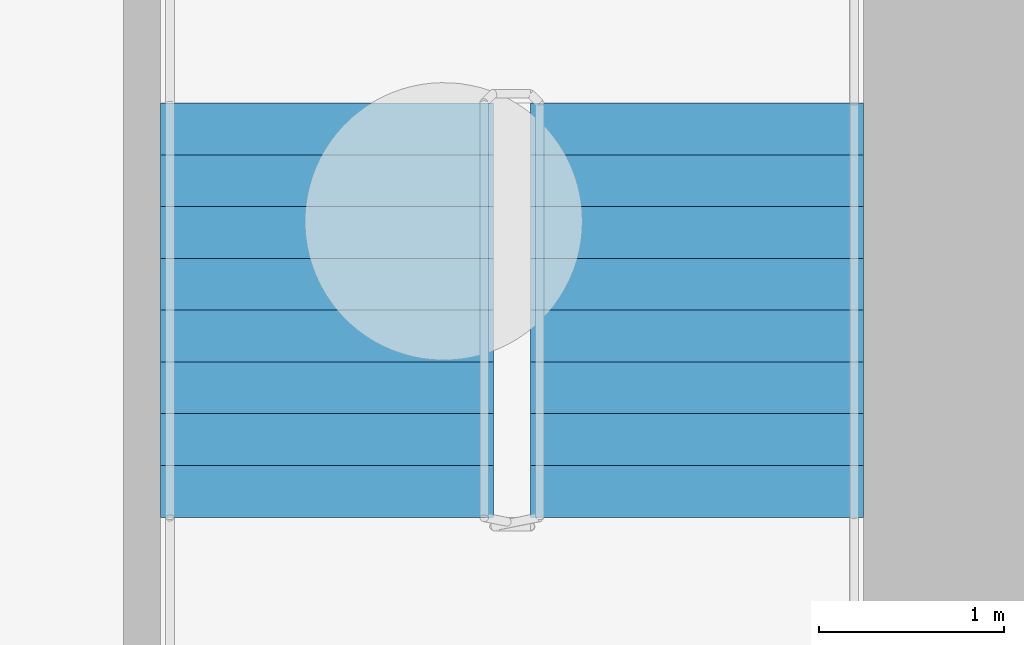
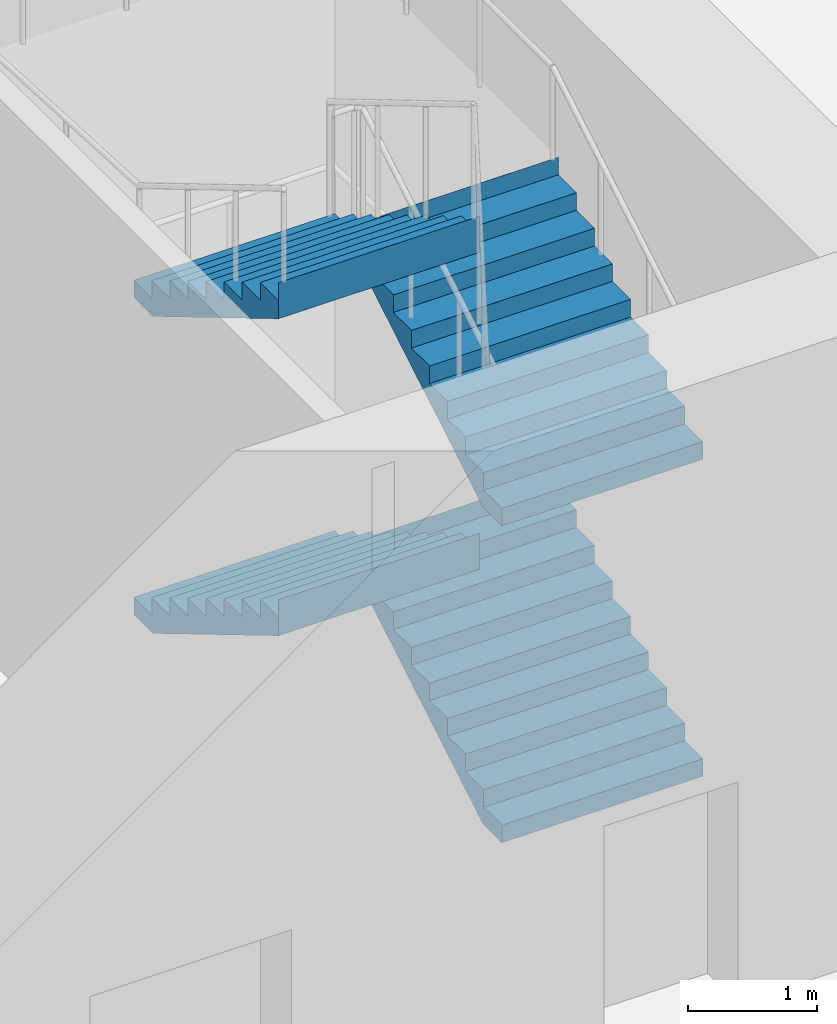
# One storey, part 21 of 39: 4 stair flights, 1 element without a shape of its own.
"""IFC4 building model written with IfcOpenShell, lengths in metres."""

from ifc_helpers import new_model, si_unit, direction, frame, origin, place, context, subcontext, project, spatial, polyline, outline, extrude, material, type_object, element, aggregate, save


model = new_model("IFC4")

# Units and contexts
model_context = context("Model", 3, precision=1e-05, world=origin(), true_north=direction((0.0, 1.0)))
body_context = subcontext(model_context, "Body", "Model", "MODEL_VIEW")
ifc_project = project(units=[si_unit("LENGTHUNIT", "METRE"), si_unit("AREAUNIT", "SQUARE_METRE"), si_unit("VOLUMEUNIT", "CUBIC_METRE"), si_unit("PLANEANGLEUNIT", "RADIAN"), si_unit("MASSUNIT", "GRAM", prefix="KILO")], contexts=[model_context])

# Site, building, storey
site_placement = place(None, origin())
site = spatial("IfcSite", under=ifc_project, at=site_placement, CompositionType="ELEMENT")
building_placement = place(site_placement, origin())
building = spatial("IfcBuilding", under=site, at=building_placement, Name="Tamorin Gate", CompositionType="ELEMENT")
storey_placement = place(building_placement, frame((0.0, 0.0, -12.0)))
storey = spatial("IfcBuildingStorey", under=building, at=storey_placement, Name="B2", CompositionType="ELEMENT", Elevation=-12.0)

# Stair, stair flights
ifc_material = material(Name="Concrete C40/50", Category="concrete")
stair_type = type_object("IfcStairType", Name="Exit stair", PredefinedType="HALF_TURN_STAIR", material=ifc_material)
stair_placement = place(storey_placement, origin())
stair = element("IfcStair", 1, at=stair_placement, inside=storey, type_object=stair_type, Name="B2 stair ST3", PredefinedType="HALF_TURN_STAIR")
stair_flight_type = type_object("IfcStairFlightType", Name="Exit stair flight", PredefinedType="STRAIGHT", material=ifc_material)
stair_flight_1_placement = place(storey_placement, frame((58.10009765625, 62.800048828125, 0.0), z_axis=(0.0, 0.0, 1.0), x_axis=(0.0, 1.0, 0.0)))
stair_flight_1 = element("IfcStairFlight", 2, at=stair_flight_1_placement, type_object=stair_flight_type, Name="ST3 flight 1", NumberOfRisers=9, NumberOfTreads=8, PredefinedType="STRAIGHT", RiserHeight=0.166666667, TreadLength=0.28, context=body_context, shape_type="SweptSolid", body=[
    extrude(outline(polyline([(-0.00048828125, 0.0), (-0.00048828125, 0.001708984375), (-0.00048828125, 0.00341796875), (-0.00048828125, 0.0048828125), (-0.00048828125, 0.006591796875), (-0.00048828125, 0.00830078125), (-0.00048828125, 0.010009765625), (-0.00048828125, 0.011474609375), (-0.00048828125, 0.01318359375), (-0.00048828125, 0.014892578125), (-0.00048828125, 0.0166015625), (-0.00048828125, 0.01806640625), (-0.00048828125, 0.019775390625), (-0.00048828125, 0.021484375), (-0.00048828125, 0.023193359375), (-0.00048828125, 0.024658203125), (-0.00048828125, 0.0263671875), (-0.00048828125, 0.028076171875), (-0.00048828125, 0.02978515625), (-0.00048828125, 0.03125), (-0.00048828125, 0.032958984375), (-0.00048828125, 0.03466796875), (-0.00048828125, 0.036376953125), (-0.00048828125, 0.037841796875), (-0.00048828125, 0.03955078125), (-0.00048828125, 0.041259765625), (-0.00048828125, 0.04296875), (-0.00048828125, 0.04443359375), (-0.00048828125, 0.046142578125), (-0.00048828125, 0.0478515625), (-0.00048828125, 0.049560546875), (-0.00048828125, 0.05126953125), (-0.00048828125, 0.052734375), (-0.00048828125, 0.054443359375), (-0.00048828125, 0.05615234375), (-0.00048828125, 0.057861328125), (-0.00048828125, 0.059326171875), (-0.00048828125, 0.06103515625), (-0.00048828125, 0.062744140625), (-0.00048828125, 0.064453125), (-0.00048828125, 0.06591796875), (-0.00048828125, 0.067626953125), (-0.00048828125, 0.0693359375), (-0.00048828125, 0.071044921875), (-0.00048828125, 0.072509765625), (-0.00048828125, 0.07421875), (-0.00048828125, 0.075927734375), (-0.00048828125, 0.07763671875), (-0.00048828125, 0.0791015625), (-0.00048828125, 0.080810546875), (-0.00048828125, 0.08251953125), (-0.00048828125, 0.084228515625), (-0.00048828125, 0.085693359375), (-0.00048828125, 0.08740234375), (-0.00048828125, 0.089111328125), (-0.00048828125, 0.0908203125), (-0.00048828125, 0.092529296875), (-0.00048828125, 0.093994140625), (-0.00048828125, 0.095703125), (-0.00048828125, 0.097412109375), (-0.00048828125, 0.09912109375), (-0.00048828125, 0.1005859375), (-0.00048828125, 0.102294921875), (-0.00048828125, 0.10400390625), (-0.00048828125, 0.105712890625), (-0.00048828125, 0.107177734375), (-0.00048828125, 0.10888671875), (-0.00048828125, 0.110595703125), (-0.00048828125, 0.1123046875), (-0.00048828125, 0.11376953125), (-0.00048828125, 0.115478515625), (-0.00048828125, 0.1171875), (-0.00048828125, 0.118896484375), (-0.00048828125, 0.120361328125), (-0.00048828125, 0.1220703125), (-0.00048828125, 0.123779296875), (-0.00048828125, 0.12548828125), (-0.00048828125, 0.126953125), (-0.00048828125, 0.128662109375), (-0.00048828125, 0.13037109375), (-0.00048828125, 0.132080078125), (-0.00048828125, 0.133544921875), (-0.00048828125, 0.13525390625), (-0.00048828125, 0.136962890625), (-0.00048828125, 0.138671875), (-0.00048828125, 0.140380859375), (-0.00048828125, 0.141845703125), (-0.00048828125, 0.1435546875), (-0.00048828125, 0.145263671875), (-0.00048828125, 0.14697265625), (-0.00048828125, 0.1484375), (-0.00048828125, 0.150146484375), (-0.00048828125, 0.15185546875), (-0.00048828125, 0.153564453125), (-0.00048828125, 0.155029296875), (-0.00048828125, 0.15673828125), (-0.00048828125, 0.158447265625), (-0.00048828125, 0.16015625), (-0.00048828125, 0.16162109375), (-0.00048828125, 0.163330078125), (-0.00048828125, 0.1650390625), (-0.00048828125, 0.166748046875), (0.280029296875, 0.166748046875), (0.280029296875, 0.333251953125), (0.56005859375, 0.333251953125), (0.56005859375, 0.5), (0.840087890625, 0.5), (0.840087890625, 0.666748046875), (1.1201171875, 0.666748046875), (1.1201171875, 0.833251953125), (1.39990234375, 0.833251953125), (1.39990234375, 1.0), (1.679931640625, 1.0), (1.679931640625, 1.166748046875), (1.9599609375, 1.166748046875), (1.9599609375, 1.333251953125), (2.239990234375, 1.333251953125), (2.239990234375, 1.5), (2.240478515625, 1.5), (2.240478515625, 1.49658203125), (2.240478515625, 1.4931640625), (2.240478515625, 1.48974609375), (2.240478515625, 1.486572265625), (2.240478515625, 1.483154296875), (2.240478515625, 1.479736328125), (2.240478515625, 1.476318359375), (2.240478515625, 1.472900390625), (2.240478515625, 1.469482421875), (2.240478515625, 1.46630859375), (2.240478515625, 1.462890625), (2.240478515625, 1.45947265625), (2.240478515625, 1.4560546875), (2.240478515625, 1.45263671875), (2.240478515625, 1.44921875), (2.240478515625, 1.446044921875), (2.240478515625, 1.442626953125), (2.240478515625, 1.439208984375), (2.240478515625, 1.435791015625), (2.240478515625, 1.432373046875), (2.240478515625, 1.428955078125), (2.240478515625, 1.42578125), (2.240478515625, 1.42236328125), (2.240478515625, 1.4189453125), (2.240478515625, 1.41552734375), (2.240478515625, 1.412109375), (2.240478515625, 1.40869140625), (2.240478515625, 1.405517578125), (2.240478515625, 1.402099609375), (2.240478515625, 1.398681640625), (2.240478515625, 1.395263671875), (2.240478515625, 1.391845703125), (2.240478515625, 1.388427734375), (2.240478515625, 1.38525390625), (2.240478515625, 1.3818359375), (2.240478515625, 1.37841796875), (2.240478515625, 1.375), (2.240478515625, 1.37158203125), (2.240478515625, 1.3681640625), (2.240478515625, 1.364990234375), (2.240478515625, 1.361572265625), (2.240478515625, 1.358154296875), (2.240478515625, 1.354736328125), (2.240478515625, 1.351318359375), (2.240478515625, 1.347900390625), (2.240478515625, 1.3447265625), (2.240478515625, 1.34130859375), (2.240478515625, 1.337890625), (2.240478515625, 1.33447265625), (2.240478515625, 1.3310546875), (2.240478515625, 1.32763671875), (2.240478515625, 1.324462890625), (2.240478515625, 1.321044921875), (2.240478515625, 1.317626953125), (2.240478515625, 1.314208984375), (2.240478515625, 1.310791015625), (2.240478515625, 1.307373046875), (2.240478515625, 1.30419921875), (2.240478515625, 1.30078125), (2.240478515625, 1.29736328125), (2.240478515625, 1.2939453125), (2.240478515625, 1.29052734375), (2.240478515625, 1.287109375), (2.240478515625, 1.283935546875), (2.240478515625, 1.280517578125), (2.240478515625, 1.277099609375), (2.240478515625, 1.273681640625), (2.240478515625, 1.270263671875), (2.240478515625, 1.266845703125), (2.240478515625, 1.263671875), (2.240478515625, 1.26025390625), (2.240478515625, 1.2568359375), (2.240478515625, 1.25341796875), (2.240478515625, 1.25), (2.240478515625, 1.24658203125), (2.240478515625, 1.243408203125), (2.240478515625, 1.239990234375), (2.240478515625, 1.236572265625), (2.240478515625, 1.233154296875), (2.240478515625, 1.229736328125), (2.240478515625, 1.226318359375), (2.240478515625, 1.22314453125), (2.240478515625, 1.2197265625), (2.240478515625, 1.21630859375), (2.240478515625, 1.212890625), (2.240478515625, 1.20947265625), (2.240478515625, 1.2060546875), (2.240478515625, 1.202880859375), (2.240478515625, 1.199462890625), (2.240478515625, 1.196044921875), (2.240478515625, 1.192626953125), (2.240478515625, 1.189208984375), (2.240478515625, 1.185791015625), (2.240478515625, 1.1826171875), (2.240478515625, 1.17919921875), (2.240478515625, 1.17578125), (2.240478515625, 1.17236328125), (2.240478515625, 1.1689453125), (2.240478515625, 1.16552734375), (2.240478515625, 1.162353515625), (2.240478515625, 1.158935546875), (2.239990234375, 1.158935546875), (0.29296875, 0.0), (-0.00048828125, 0.0)])), frame((0.0, 0.89990234375, 0.0), z_axis=(0.0, -1.0, 0.0), x_axis=(1.0, 0.0, 0.0)), (0.0, 0.0, 1.0), 1.800048828125),
])
stair_flight_2_placement = place(storey_placement, frame((56.10009765625, 65.0400390625, 1.5), z_axis=(0.0, 0.0, 1.0), x_axis=(0.0, -1.0, 0.0)))
stair_flight_2 = element("IfcStairFlight", 3, at=stair_flight_2_placement, type_object=stair_flight_type, Name="ST3 flight 2", NumberOfRisers=9, NumberOfTreads=8, PredefinedType="STRAIGHT", RiserHeight=0.166666667, TreadLength=0.28, context=body_context, shape_type="SweptSolid", body=[
    extrude(outline(polyline([(-0.00048828125, 0.0), (-0.00048828125, 0.001708984375), (-0.00048828125, 0.00341796875), (-0.00048828125, 0.0048828125), (-0.00048828125, 0.006591796875), (-0.00048828125, 0.00830078125), (-0.00048828125, 0.010009765625), (-0.00048828125, 0.011474609375), (-0.00048828125, 0.01318359375), (-0.00048828125, 0.014892578125), (-0.00048828125, 0.0166015625), (-0.00048828125, 0.01806640625), (-0.00048828125, 0.019775390625), (-0.00048828125, 0.021484375), (-0.00048828125, 0.023193359375), (-0.00048828125, 0.024658203125), (-0.00048828125, 0.0263671875), (-0.00048828125, 0.028076171875), (-0.00048828125, 0.02978515625), (-0.00048828125, 0.03125), (-0.00048828125, 0.032958984375), (-0.00048828125, 0.03466796875), (-0.00048828125, 0.036376953125), (-0.00048828125, 0.037841796875), (-0.00048828125, 0.03955078125), (-0.00048828125, 0.041259765625), (-0.00048828125, 0.04296875), (-0.00048828125, 0.04443359375), (-0.00048828125, 0.046142578125), (-0.00048828125, 0.0478515625), (-0.00048828125, 0.049560546875), (-0.00048828125, 0.05126953125), (-0.00048828125, 0.052734375), (-0.00048828125, 0.054443359375), (-0.00048828125, 0.05615234375), (-0.00048828125, 0.057861328125), (-0.00048828125, 0.059326171875), (-0.00048828125, 0.06103515625), (-0.00048828125, 0.062744140625), (-0.00048828125, 0.064453125), (-0.00048828125, 0.06591796875), (-0.00048828125, 0.067626953125), (-0.00048828125, 0.0693359375), (-0.00048828125, 0.071044921875), (-0.00048828125, 0.072509765625), (-0.00048828125, 0.07421875), (-0.00048828125, 0.075927734375), (-0.00048828125, 0.07763671875), (-0.00048828125, 0.0791015625), (-0.00048828125, 0.080810546875), (-0.00048828125, 0.08251953125), (-0.00048828125, 0.084228515625), (-0.00048828125, 0.085693359375), (-0.00048828125, 0.08740234375), (-0.00048828125, 0.089111328125), (-0.00048828125, 0.0908203125), (-0.00048828125, 0.092529296875), (-0.00048828125, 0.093994140625), (-0.00048828125, 0.095703125), (-0.00048828125, 0.097412109375), (-0.00048828125, 0.09912109375), (-0.00048828125, 0.1005859375), (-0.00048828125, 0.102294921875), (-0.00048828125, 0.10400390625), (-0.00048828125, 0.105712890625), (-0.00048828125, 0.107177734375), (-0.00048828125, 0.10888671875), (-0.00048828125, 0.110595703125), (-0.00048828125, 0.1123046875), (-0.00048828125, 0.11376953125), (-0.00048828125, 0.115478515625), (-0.00048828125, 0.1171875), (-0.00048828125, 0.118896484375), (-0.00048828125, 0.120361328125), (-0.00048828125, 0.1220703125), (-0.00048828125, 0.123779296875), (-0.00048828125, 0.12548828125), (-0.00048828125, 0.126953125), (-0.00048828125, 0.128662109375), (-0.00048828125, 0.13037109375), (-0.00048828125, 0.132080078125), (-0.00048828125, 0.133544921875), (-0.00048828125, 0.13525390625), (-0.00048828125, 0.136962890625), (-0.00048828125, 0.138671875), (-0.00048828125, 0.140380859375), (-0.00048828125, 0.141845703125), (-0.00048828125, 0.1435546875), (-0.00048828125, 0.145263671875), (-0.00048828125, 0.14697265625), (-0.00048828125, 0.1484375), (-0.00048828125, 0.150146484375), (-0.00048828125, 0.15185546875), (-0.00048828125, 0.153564453125), (-0.00048828125, 0.155029296875), (-0.00048828125, 0.15673828125), (-0.00048828125, 0.158447265625), (-0.00048828125, 0.16015625), (-0.00048828125, 0.16162109375), (-0.00048828125, 0.163330078125), (-0.00048828125, 0.1650390625), (-0.00048828125, 0.166748046875), (0.280029296875, 0.166748046875), (0.280029296875, 0.333251953125), (0.56005859375, 0.333251953125), (0.56005859375, 0.5), (0.840087890625, 0.5), (0.840087890625, 0.666748046875), (1.1201171875, 0.666748046875), (1.1201171875, 0.833251953125), (1.39990234375, 0.833251953125), (1.39990234375, 1.0), (1.679931640625, 1.0), (1.679931640625, 1.166748046875), (1.9599609375, 1.166748046875), (1.9599609375, 1.333251953125), (2.239990234375, 1.333251953125), (2.239990234375, 1.5), (2.240478515625, 1.5), (2.240478515625, 1.49658203125), (2.240478515625, 1.4931640625), (2.240478515625, 1.48974609375), (2.240478515625, 1.486572265625), (2.240478515625, 1.483154296875), (2.240478515625, 1.479736328125), (2.240478515625, 1.476318359375), (2.240478515625, 1.472900390625), (2.240478515625, 1.469482421875), (2.240478515625, 1.46630859375), (2.240478515625, 1.462890625), (2.240478515625, 1.45947265625), (2.240478515625, 1.4560546875), (2.240478515625, 1.45263671875), (2.240478515625, 1.44921875), (2.240478515625, 1.446044921875), (2.240478515625, 1.442626953125), (2.240478515625, 1.439208984375), (2.240478515625, 1.435791015625), (2.240478515625, 1.432373046875), (2.240478515625, 1.428955078125), (2.240478515625, 1.42578125), (2.240478515625, 1.42236328125), (2.240478515625, 1.4189453125), (2.240478515625, 1.41552734375), (2.240478515625, 1.412109375), (2.240478515625, 1.40869140625), (2.240478515625, 1.405517578125), (2.240478515625, 1.402099609375), (2.240478515625, 1.398681640625), (2.240478515625, 1.395263671875), (2.240478515625, 1.391845703125), (2.240478515625, 1.388427734375), (2.240478515625, 1.38525390625), (2.240478515625, 1.3818359375), (2.240478515625, 1.37841796875), (2.240478515625, 1.375), (2.240478515625, 1.37158203125), (2.240478515625, 1.3681640625), (2.240478515625, 1.364990234375), (2.240478515625, 1.361572265625), (2.240478515625, 1.358154296875), (2.240478515625, 1.354736328125), (2.240478515625, 1.351318359375), (2.240478515625, 1.347900390625), (2.240478515625, 1.3447265625), (2.240478515625, 1.34130859375), (2.240478515625, 1.337890625), (2.240478515625, 1.33447265625), (2.240478515625, 1.3310546875), (2.240478515625, 1.32763671875), (2.240478515625, 1.324462890625), (2.240478515625, 1.321044921875), (2.240478515625, 1.317626953125), (2.240478515625, 1.314208984375), (2.240478515625, 1.310791015625), (2.240478515625, 1.307373046875), (2.240478515625, 1.30419921875), (2.240478515625, 1.30078125), (2.240478515625, 1.29736328125), (2.240478515625, 1.2939453125), (2.240478515625, 1.29052734375), (2.240478515625, 1.287109375), (2.240478515625, 1.283935546875), (2.240478515625, 1.280517578125), (2.240478515625, 1.277099609375), (2.240478515625, 1.273681640625), (2.240478515625, 1.270263671875), (2.240478515625, 1.266845703125), (2.240478515625, 1.263671875), (2.240478515625, 1.26025390625), (2.240478515625, 1.2568359375), (2.240478515625, 1.25341796875), (2.240478515625, 1.25), (2.240478515625, 1.24658203125), (2.240478515625, 1.243408203125), (2.240478515625, 1.239990234375), (2.240478515625, 1.236572265625), (2.240478515625, 1.233154296875), (2.240478515625, 1.229736328125), (2.240478515625, 1.226318359375), (2.240478515625, 1.22314453125), (2.240478515625, 1.2197265625), (2.240478515625, 1.21630859375), (2.240478515625, 1.212890625), (2.240478515625, 1.20947265625), (2.240478515625, 1.2060546875), (2.240478515625, 1.202880859375), (2.240478515625, 1.199462890625), (2.240478515625, 1.196044921875), (2.240478515625, 1.192626953125), (2.240478515625, 1.189208984375), (2.240478515625, 1.185791015625), (2.240478515625, 1.1826171875), (2.240478515625, 1.17919921875), (2.240478515625, 1.17578125), (2.240478515625, 1.17236328125), (2.240478515625, 1.1689453125), (2.240478515625, 1.16552734375), (2.240478515625, 1.162353515625), (2.240478515625, 1.158935546875), (2.239990234375, 1.158935546875), (0.29296875, 0.0), (-0.00048828125, 0.0)])), frame((0.0, 0.89990234375, 0.0), z_axis=(0.0, -1.0, 0.0), x_axis=(1.0, 0.0, 0.0)), (0.0, 0.0, 1.0), 1.800048828125),
])
stair_flight_3_placement = place(storey_placement, frame((58.10009765625, 62.800048828125, 3.0), z_axis=(0.0, 0.0, 1.0), x_axis=(0.0, 1.0, 0.0)))
stair_flight_3 = element("IfcStairFlight", 4, at=stair_flight_3_placement, type_object=stair_flight_type, Name="ST3 flight 3", NumberOfRisers=9, NumberOfTreads=8, PredefinedType="STRAIGHT", RiserHeight=0.166666667, TreadLength=0.28, context=body_context, shape_type="SweptSolid", body=[
    extrude(outline(polyline([(-0.00048828125, 0.0), (-0.00048828125, 0.001708984375), (-0.00048828125, 0.00341796875), (-0.00048828125, 0.0048828125), (-0.00048828125, 0.006591796875), (-0.00048828125, 0.00830078125), (-0.00048828125, 0.010009765625), (-0.00048828125, 0.011474609375), (-0.00048828125, 0.01318359375), (-0.00048828125, 0.014892578125), (-0.00048828125, 0.0166015625), (-0.00048828125, 0.01806640625), (-0.00048828125, 0.019775390625), (-0.00048828125, 0.021484375), (-0.00048828125, 0.023193359375), (-0.00048828125, 0.024658203125), (-0.00048828125, 0.0263671875), (-0.00048828125, 0.028076171875), (-0.00048828125, 0.02978515625), (-0.00048828125, 0.03125), (-0.00048828125, 0.032958984375), (-0.00048828125, 0.03466796875), (-0.00048828125, 0.036376953125), (-0.00048828125, 0.037841796875), (-0.00048828125, 0.03955078125), (-0.00048828125, 0.041259765625), (-0.00048828125, 0.04296875), (-0.00048828125, 0.04443359375), (-0.00048828125, 0.046142578125), (-0.00048828125, 0.0478515625), (-0.00048828125, 0.049560546875), (-0.00048828125, 0.05126953125), (-0.00048828125, 0.052734375), (-0.00048828125, 0.054443359375), (-0.00048828125, 0.05615234375), (-0.00048828125, 0.057861328125), (-0.00048828125, 0.059326171875), (-0.00048828125, 0.06103515625), (-0.00048828125, 0.062744140625), (-0.00048828125, 0.064453125), (-0.00048828125, 0.06591796875), (-0.00048828125, 0.067626953125), (-0.00048828125, 0.0693359375), (-0.00048828125, 0.071044921875), (-0.00048828125, 0.072509765625), (-0.00048828125, 0.07421875), (-0.00048828125, 0.075927734375), (-0.00048828125, 0.07763671875), (-0.00048828125, 0.0791015625), (-0.00048828125, 0.080810546875), (-0.00048828125, 0.08251953125), (-0.00048828125, 0.084228515625), (-0.00048828125, 0.085693359375), (-0.00048828125, 0.08740234375), (-0.00048828125, 0.089111328125), (-0.00048828125, 0.0908203125), (-0.00048828125, 0.092529296875), (-0.00048828125, 0.093994140625), (-0.00048828125, 0.095703125), (-0.00048828125, 0.097412109375), (-0.00048828125, 0.09912109375), (-0.00048828125, 0.1005859375), (-0.00048828125, 0.102294921875), (-0.00048828125, 0.10400390625), (-0.00048828125, 0.105712890625), (-0.00048828125, 0.107177734375), (-0.00048828125, 0.10888671875), (-0.00048828125, 0.110595703125), (-0.00048828125, 0.1123046875), (-0.00048828125, 0.11376953125), (-0.00048828125, 0.115478515625), (-0.00048828125, 0.1171875), (-0.00048828125, 0.118896484375), (-0.00048828125, 0.120361328125), (-0.00048828125, 0.1220703125), (-0.00048828125, 0.123779296875), (-0.00048828125, 0.12548828125), (-0.00048828125, 0.126953125), (-0.00048828125, 0.128662109375), (-0.00048828125, 0.13037109375), (-0.00048828125, 0.132080078125), (-0.00048828125, 0.133544921875), (-0.00048828125, 0.13525390625), (-0.00048828125, 0.136962890625), (-0.00048828125, 0.138671875), (-0.00048828125, 0.140380859375), (-0.00048828125, 0.141845703125), (-0.00048828125, 0.1435546875), (-0.00048828125, 0.145263671875), (-0.00048828125, 0.14697265625), (-0.00048828125, 0.1484375), (-0.00048828125, 0.150146484375), (-0.00048828125, 0.15185546875), (-0.00048828125, 0.153564453125), (-0.00048828125, 0.155029296875), (-0.00048828125, 0.15673828125), (-0.00048828125, 0.158447265625), (-0.00048828125, 0.16015625), (-0.00048828125, 0.16162109375), (-0.00048828125, 0.163330078125), (-0.00048828125, 0.1650390625), (-0.00048828125, 0.166748046875), (0.280029296875, 0.166748046875), (0.280029296875, 0.333251953125), (0.56005859375, 0.333251953125), (0.56005859375, 0.5), (0.840087890625, 0.5), (0.840087890625, 0.666748046875), (1.1201171875, 0.666748046875), (1.1201171875, 0.833251953125), (1.39990234375, 0.833251953125), (1.39990234375, 1.0), (1.679931640625, 1.0), (1.679931640625, 1.166748046875), (1.9599609375, 1.166748046875), (1.9599609375, 1.333251953125), (2.239990234375, 1.333251953125), (2.239990234375, 1.5), (2.240478515625, 1.5), (2.240478515625, 1.49658203125), (2.240478515625, 1.4931640625), (2.240478515625, 1.48974609375), (2.240478515625, 1.486572265625), (2.240478515625, 1.483154296875), (2.240478515625, 1.479736328125), (2.240478515625, 1.476318359375), (2.240478515625, 1.472900390625), (2.240478515625, 1.469482421875), (2.240478515625, 1.46630859375), (2.240478515625, 1.462890625), (2.240478515625, 1.45947265625), (2.240478515625, 1.4560546875), (2.240478515625, 1.45263671875), (2.240478515625, 1.44921875), (2.240478515625, 1.446044921875), (2.240478515625, 1.442626953125), (2.240478515625, 1.439208984375), (2.240478515625, 1.435791015625), (2.240478515625, 1.432373046875), (2.240478515625, 1.428955078125), (2.240478515625, 1.42578125), (2.240478515625, 1.42236328125), (2.240478515625, 1.4189453125), (2.240478515625, 1.41552734375), (2.240478515625, 1.412109375), (2.240478515625, 1.40869140625), (2.240478515625, 1.405517578125), (2.240478515625, 1.402099609375), (2.240478515625, 1.398681640625), (2.240478515625, 1.395263671875), (2.240478515625, 1.391845703125), (2.240478515625, 1.388427734375), (2.240478515625, 1.38525390625), (2.240478515625, 1.3818359375), (2.240478515625, 1.37841796875), (2.240478515625, 1.375), (2.240478515625, 1.37158203125), (2.240478515625, 1.3681640625), (2.240478515625, 1.364990234375), (2.240478515625, 1.361572265625), (2.240478515625, 1.358154296875), (2.240478515625, 1.354736328125), (2.240478515625, 1.351318359375), (2.240478515625, 1.347900390625), (2.240478515625, 1.3447265625), (2.240478515625, 1.34130859375), (2.240478515625, 1.337890625), (2.240478515625, 1.33447265625), (2.240478515625, 1.3310546875), (2.240478515625, 1.32763671875), (2.240478515625, 1.324462890625), (2.240478515625, 1.321044921875), (2.240478515625, 1.317626953125), (2.240478515625, 1.314208984375), (2.240478515625, 1.310791015625), (2.240478515625, 1.307373046875), (2.240478515625, 1.30419921875), (2.240478515625, 1.30078125), (2.240478515625, 1.29736328125), (2.240478515625, 1.2939453125), (2.240478515625, 1.29052734375), (2.240478515625, 1.287109375), (2.240478515625, 1.283935546875), (2.240478515625, 1.280517578125), (2.240478515625, 1.277099609375), (2.240478515625, 1.273681640625), (2.240478515625, 1.270263671875), (2.240478515625, 1.266845703125), (2.240478515625, 1.263671875), (2.240478515625, 1.26025390625), (2.240478515625, 1.2568359375), (2.240478515625, 1.25341796875), (2.240478515625, 1.25), (2.240478515625, 1.24658203125), (2.240478515625, 1.243408203125), (2.240478515625, 1.239990234375), (2.240478515625, 1.236572265625), (2.240478515625, 1.233154296875), (2.240478515625, 1.229736328125), (2.240478515625, 1.226318359375), (2.240478515625, 1.22314453125), (2.240478515625, 1.2197265625), (2.240478515625, 1.21630859375), (2.240478515625, 1.212890625), (2.240478515625, 1.20947265625), (2.240478515625, 1.2060546875), (2.240478515625, 1.202880859375), (2.240478515625, 1.199462890625), (2.240478515625, 1.196044921875), (2.240478515625, 1.192626953125), (2.240478515625, 1.189208984375), (2.240478515625, 1.185791015625), (2.240478515625, 1.1826171875), (2.240478515625, 1.17919921875), (2.240478515625, 1.17578125), (2.240478515625, 1.17236328125), (2.240478515625, 1.1689453125), (2.240478515625, 1.16552734375), (2.240478515625, 1.162353515625), (2.240478515625, 1.158935546875), (2.239990234375, 1.158935546875), (0.29296875, 0.0), (-0.00048828125, 0.0)])), frame((0.0, 0.89990234375, 0.0), z_axis=(0.0, -1.0, 0.0), x_axis=(1.0, 0.0, 0.0)), (0.0, 0.0, 1.0), 1.800048828125),
])
stair_flight_4_placement = place(storey_placement, frame((56.10009765625, 65.0400390625, 4.5), z_axis=(0.0, 0.0, 1.0), x_axis=(0.0, -1.0, 0.0)))
stair_flight_4 = element("IfcStairFlight", 5, at=stair_flight_4_placement, type_object=stair_flight_type, Name="ST3 flight 4", NumberOfRisers=9, NumberOfTreads=8, PredefinedType="STRAIGHT", RiserHeight=0.166666667, TreadLength=0.28, context=body_context, shape_type="SweptSolid", body=[
    extrude(outline(polyline([(-0.00048828125, 0.0), (-0.00048828125, 0.001708984375), (-0.00048828125, 0.00341796875), (-0.00048828125, 0.0048828125), (-0.00048828125, 0.006591796875), (-0.00048828125, 0.00830078125), (-0.00048828125, 0.010009765625), (-0.00048828125, 0.011474609375), (-0.00048828125, 0.01318359375), (-0.00048828125, 0.014892578125), (-0.00048828125, 0.0166015625), (-0.00048828125, 0.01806640625), (-0.00048828125, 0.019775390625), (-0.00048828125, 0.021484375), (-0.00048828125, 0.023193359375), (-0.00048828125, 0.024658203125), (-0.00048828125, 0.0263671875), (-0.00048828125, 0.028076171875), (-0.00048828125, 0.02978515625), (-0.00048828125, 0.03125), (-0.00048828125, 0.032958984375), (-0.00048828125, 0.03466796875), (-0.00048828125, 0.036376953125), (-0.00048828125, 0.037841796875), (-0.00048828125, 0.03955078125), (-0.00048828125, 0.041259765625), (-0.00048828125, 0.04296875), (-0.00048828125, 0.04443359375), (-0.00048828125, 0.046142578125), (-0.00048828125, 0.0478515625), (-0.00048828125, 0.049560546875), (-0.00048828125, 0.05126953125), (-0.00048828125, 0.052734375), (-0.00048828125, 0.054443359375), (-0.00048828125, 0.05615234375), (-0.00048828125, 0.057861328125), (-0.00048828125, 0.059326171875), (-0.00048828125, 0.06103515625), (-0.00048828125, 0.062744140625), (-0.00048828125, 0.064453125), (-0.00048828125, 0.06591796875), (-0.00048828125, 0.067626953125), (-0.00048828125, 0.0693359375), (-0.00048828125, 0.071044921875), (-0.00048828125, 0.072509765625), (-0.00048828125, 0.07421875), (-0.00048828125, 0.075927734375), (-0.00048828125, 0.07763671875), (-0.00048828125, 0.0791015625), (-0.00048828125, 0.080810546875), (-0.00048828125, 0.08251953125), (-0.00048828125, 0.084228515625), (-0.00048828125, 0.085693359375), (-0.00048828125, 0.08740234375), (-0.00048828125, 0.089111328125), (-0.00048828125, 0.0908203125), (-0.00048828125, 0.092529296875), (-0.00048828125, 0.093994140625), (-0.00048828125, 0.095703125), (-0.00048828125, 0.097412109375), (-0.00048828125, 0.09912109375), (-0.00048828125, 0.1005859375), (-0.00048828125, 0.102294921875), (-0.00048828125, 0.10400390625), (-0.00048828125, 0.105712890625), (-0.00048828125, 0.107177734375), (-0.00048828125, 0.10888671875), (-0.00048828125, 0.110595703125), (-0.00048828125, 0.1123046875), (-0.00048828125, 0.11376953125), (-0.00048828125, 0.115478515625), (-0.00048828125, 0.1171875), (-0.00048828125, 0.118896484375), (-0.00048828125, 0.120361328125), (-0.00048828125, 0.1220703125), (-0.00048828125, 0.123779296875), (-0.00048828125, 0.12548828125), (-0.00048828125, 0.126953125), (-0.00048828125, 0.128662109375), (-0.00048828125, 0.13037109375), (-0.00048828125, 0.132080078125), (-0.00048828125, 0.133544921875), (-0.00048828125, 0.13525390625), (-0.00048828125, 0.136962890625), (-0.00048828125, 0.138671875), (-0.00048828125, 0.140380859375), (-0.00048828125, 0.141845703125), (-0.00048828125, 0.1435546875), (-0.00048828125, 0.145263671875), (-0.00048828125, 0.14697265625), (-0.00048828125, 0.1484375), (-0.00048828125, 0.150146484375), (-0.00048828125, 0.15185546875), (-0.00048828125, 0.153564453125), (-0.00048828125, 0.155029296875), (-0.00048828125, 0.15673828125), (-0.00048828125, 0.158447265625), (-0.00048828125, 0.16015625), (-0.00048828125, 0.16162109375), (-0.00048828125, 0.163330078125), (-0.00048828125, 0.1650390625), (-0.00048828125, 0.166748046875), (0.280029296875, 0.166748046875), (0.280029296875, 0.333251953125), (0.56005859375, 0.333251953125), (0.56005859375, 0.5), (0.840087890625, 0.5), (0.840087890625, 0.666748046875), (1.1201171875, 0.666748046875), (1.1201171875, 0.833251953125), (1.39990234375, 0.833251953125), (1.39990234375, 1.0), (1.679931640625, 1.0), (1.679931640625, 1.166748046875), (1.9599609375, 1.166748046875), (1.9599609375, 1.333251953125), (2.239990234375, 1.333251953125), (2.239990234375, 1.5), (2.240478515625, 1.5), (2.240478515625, 1.49658203125), (2.240478515625, 1.4931640625), (2.240478515625, 1.48974609375), (2.240478515625, 1.486572265625), (2.240478515625, 1.483154296875), (2.240478515625, 1.479736328125), (2.240478515625, 1.476318359375), (2.240478515625, 1.472900390625), (2.240478515625, 1.469482421875), (2.240478515625, 1.46630859375), (2.240478515625, 1.462890625), (2.240478515625, 1.45947265625), (2.240478515625, 1.4560546875), (2.240478515625, 1.45263671875), (2.240478515625, 1.44921875), (2.240478515625, 1.446044921875), (2.240478515625, 1.442626953125), (2.240478515625, 1.439208984375), (2.240478515625, 1.435791015625), (2.240478515625, 1.432373046875), (2.240478515625, 1.428955078125), (2.240478515625, 1.42578125), (2.240478515625, 1.42236328125), (2.240478515625, 1.4189453125), (2.240478515625, 1.41552734375), (2.240478515625, 1.412109375), (2.240478515625, 1.40869140625), (2.240478515625, 1.405517578125), (2.240478515625, 1.402099609375), (2.240478515625, 1.398681640625), (2.240478515625, 1.395263671875), (2.240478515625, 1.391845703125), (2.240478515625, 1.388427734375), (2.240478515625, 1.38525390625), (2.240478515625, 1.3818359375), (2.240478515625, 1.37841796875), (2.240478515625, 1.375), (2.240478515625, 1.37158203125), (2.240478515625, 1.3681640625), (2.240478515625, 1.364990234375), (2.240478515625, 1.361572265625), (2.240478515625, 1.358154296875), (2.240478515625, 1.354736328125), (2.240478515625, 1.351318359375), (2.240478515625, 1.347900390625), (2.240478515625, 1.3447265625), (2.240478515625, 1.34130859375), (2.240478515625, 1.337890625), (2.240478515625, 1.33447265625), (2.240478515625, 1.3310546875), (2.240478515625, 1.32763671875), (2.240478515625, 1.324462890625), (2.240478515625, 1.321044921875), (2.240478515625, 1.317626953125), (2.240478515625, 1.314208984375), (2.240478515625, 1.310791015625), (2.240478515625, 1.307373046875), (2.240478515625, 1.30419921875), (2.240478515625, 1.30078125), (2.240478515625, 1.29736328125), (2.240478515625, 1.2939453125), (2.240478515625, 1.29052734375), (2.240478515625, 1.287109375), (2.240478515625, 1.283935546875), (2.240478515625, 1.280517578125), (2.240478515625, 1.277099609375), (2.240478515625, 1.273681640625), (2.240478515625, 1.270263671875), (2.240478515625, 1.266845703125), (2.240478515625, 1.263671875), (2.240478515625, 1.26025390625), (2.240478515625, 1.2568359375), (2.240478515625, 1.25341796875), (2.240478515625, 1.25), (2.240478515625, 1.24658203125), (2.240478515625, 1.243408203125), (2.240478515625, 1.239990234375), (2.240478515625, 1.236572265625), (2.240478515625, 1.233154296875), (2.240478515625, 1.229736328125), (2.240478515625, 1.226318359375), (2.240478515625, 1.22314453125), (2.240478515625, 1.2197265625), (2.240478515625, 1.21630859375), (2.240478515625, 1.212890625), (2.240478515625, 1.20947265625), (2.240478515625, 1.2060546875), (2.240478515625, 1.202880859375), (2.240478515625, 1.199462890625), (2.240478515625, 1.196044921875), (2.240478515625, 1.192626953125), (2.240478515625, 1.189208984375), (2.240478515625, 1.185791015625), (2.240478515625, 1.1826171875), (2.240478515625, 1.17919921875), (2.240478515625, 1.17578125), (2.240478515625, 1.17236328125), (2.240478515625, 1.1689453125), (2.240478515625, 1.16552734375), (2.240478515625, 1.162353515625), (2.240478515625, 1.158935546875), (2.239990234375, 1.158935546875), (0.29296875, 0.0), (-0.00048828125, 0.0)])), frame((0.0, 0.89990234375, 0.0), z_axis=(0.0, -1.0, 0.0), x_axis=(1.0, 0.0, 0.0)), (0.0, 0.0, 1.0), 1.800048828125),
])
aggregate(stair, [stair_flight_1, stair_flight_2, stair_flight_3, stair_flight_4])

save(model, "model.ifc")
